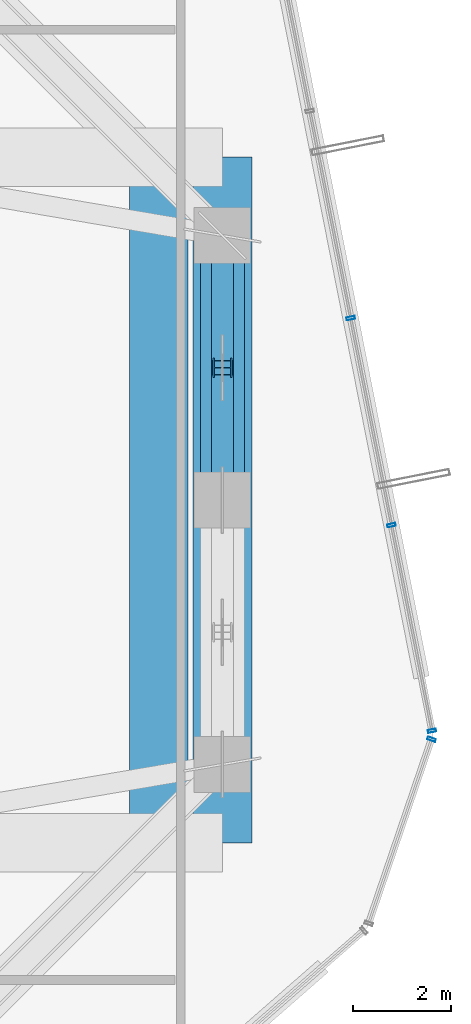
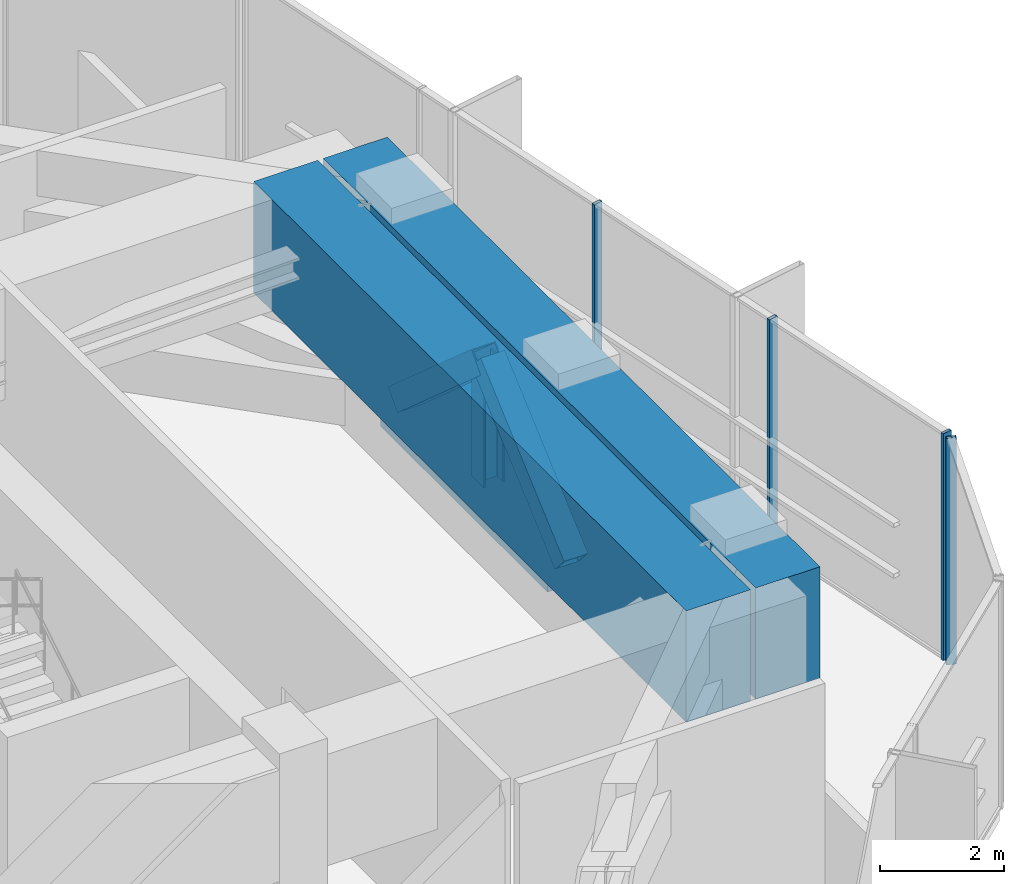
# One storey, part 19 of 36: 8 members, 2 beams, 2 elements without a shape of their own.
"""IFC4 building model written with IfcOpenShell, lengths in metres."""

from ifc_helpers import new_model, si_unit, direction, frame, origin, origin_2d, place, context, subcontext, project, spatial, rectangle, hollow_rectangle, i_section, extrude, source, transform, mapped, material, layer, layer_set, material_profile, profile_set, type_object, element, aggregate, save


model = new_model("IFC4")

# Units and contexts
model_context = context("Model", 3, precision=1e-05, world=origin(), true_north=direction((0.0, 1.0)))
body_context = subcontext(model_context, "Body", "Model", "MODEL_VIEW")
ifc_project = project(units=[si_unit("LENGTHUNIT", "METRE"), si_unit("AREAUNIT", "SQUARE_METRE"), si_unit("VOLUMEUNIT", "CUBIC_METRE"), si_unit("PLANEANGLEUNIT", "RADIAN"), si_unit("MASSUNIT", "GRAM", prefix="KILO")], contexts=[model_context])

# Site, building, storey
site_placement = place(None, origin())
site = spatial("IfcSite", under=ifc_project, at=site_placement, CompositionType="ELEMENT")
building_placement = place(site_placement, origin())
building = spatial("IfcBuilding", under=site, at=building_placement, Name="Veraguas Prism Commons", CompositionType="ELEMENT")
storey_placement = place(building_placement, frame((0.0, 0.0, 169.550048828125)))
storey = spatial("IfcBuildingStorey", under=building, at=storey_placement, Name="L48", CompositionType="ELEMENT", Elevation=169.550048828125)

# Members
ifc_material_1 = material(Name="Steel ASTM A913 Grade 65", Category="steel")
ifc_material_profile_1 = material_profile(ifc_material_1, hollow_rectangle(XDim=0.89990234375, YDim=0.89990234375, WallThickness=0.06494140625, at=origin_2d()), Name="BOX900X900X65")
ifc_profile_set_1 = profile_set([ifc_material_profile_1], Name="Steel ASTM A913 Grade 65")
member_type_1 = type_object("IfcMemberType", Name="Belt Truss Chord L48 Box 900x900x65", PredefinedType="CHORD", material=ifc_profile_set_1)
member_1_placement = place(storey_placement, frame((40.199951171875, 24.0, 0.550048828125), z_axis=(0.0, 1.0, 0.0), x_axis=(-1.0, 0.0, 0.0)))
element("IfcMember", 1, at=member_1_placement, inside=storey, type_object=member_type_1, Name="Perimeter Belt Truss Chord Bottom L48-02", PredefinedType="CHORD", context=body_context, shape_type="SweptSolid", body=[
    extrude(hollow_rectangle(XDim=0.89990234375, YDim=0.89990234375, WallThickness=0.06494140625, at=origin_2d()), origin(), (0.0, 0.0, 1.0), 5.39990234375),
])
ifc_material_2 = material(Name="Steel ASTM A992 Grade 50", Category="steel")
ifc_material_profile_2 = material_profile(ifc_material_2, i_section(OverallWidth=0.39794921875, OverallDepth=0.386962890625, WebThickness=0.01904296875, FlangeThickness=0.0302734375, at=origin_2d()), Name="W360X262")
ifc_profile_set_2 = profile_set([ifc_material_profile_2], Name="Steel ASTM A992 Grade 50")
member_type_2 = type_object("IfcMemberType", Name="Belt Truss Vertical Strut W360x262", PredefinedType="STRUT", material=ifc_profile_set_2)
member_2_placement = place(storey_placement, frame((40.199951171875, 26.699951171875, 0.550048828125), z_axis=(0.0, 0.0, 1.0), x_axis=(0.0, 1.0, 0.0)))
element("IfcMember", 2, at=member_2_placement, inside=storey, type_object=member_type_2, Name="Perimeter Belt Truss Strut L48-02", PredefinedType="STRUT", context=body_context, shape_type="SweptSolid", body=[
    extrude(i_section(OverallWidth=0.39794921875, OverallDepth=0.386962890625, WebThickness=0.01904296875, FlangeThickness=0.0302734375, at=origin_2d()), origin(), (0.0, 0.0, 1.0), 2.3798828125),
])
ifc_material_3 = material(Name="Steel ASTM A500 Grade C", Category="steel")
ifc_material_profile_3 = material_profile(ifc_material_3, hollow_rectangle(XDim=0.449951171875, YDim=0.449951171875, WallThickness=0.02197265625, at=origin_2d()), Name="HSS450X450X22")
ifc_profile_set_3 = profile_set([ifc_material_profile_3], Name="Steel ASTM A500 Grade C")
member_type_3 = type_object("IfcMemberType", Name="Mid Belt Diagonal HSS 450x450x22", PredefinedType="BRACE", material=ifc_profile_set_3)
for number, where, z_axis, x_axis, name in (
    (3, (40.199951171875, 24.0, 0.550048828125), (0.0, 0.75017230872, 0.661242396727), (-1.0, 0.0, 0.0), "Perimeter Belt Truss Brace L48-02A"),
    (4, (40.199951171875, 29.39990234375, 0.550048828125), (0.0, -0.75017230872, 0.661242396727), (1.0, 0.0, 0.0), "Perimeter Belt Truss Brace L48-02B"),
):
    element("IfcMember", number, at=place(storey_placement, frame(where, z_axis=z_axis, x_axis=x_axis)), inside=storey, type_object=member_type_3, Name=name, PredefinedType="BRACE", context=body_context, shape_type="SweptSolid", body=[
        extrude(hollow_rectangle(XDim=0.449951171875, YDim=0.449951171875, WallThickness=0.02197265625, at=origin_2d()), origin(), (0.0, 0.0, 1.0), 3.59912109375),
    ])

# Beams
ifc_material_4 = material(Name="Concrete C50/60", Category="concrete")
ifc_material_profile_4 = material_profile(ifc_material_4, rectangle(XDim=1.199951171875, YDim=2.199951171875, at=origin_2d()), Name="RC1200X2200")
ifc_profile_set_4 = profile_set([ifc_material_profile_4], Name="Concrete C50/60")
beam_type = type_object("IfcBeamType", Name="Podium Transfer Girder RC 1200x2200", PredefinedType="BEAM", material=ifc_profile_set_4)
for number, where, z_axis, x_axis, name in (
    (5, (40.199951171875, 17.0, 3.3798828125), (0.0, 1.0, 0.0), (-1.0, 0.0, 0.0), "East Outer Edge Transfer Girder L48"),
    (6, (38.89990234375, 17.0, 3.3798828125), (0.0, 1.0, 0.0), (-1.0, 0.0, 0.0), "East Setback Transfer Girder L48"),
):
    element("IfcBeam", number, at=place(storey_placement, frame(where, z_axis=z_axis, x_axis=x_axis)), inside=storey, type_object=beam_type, Name=name, PredefinedType="BEAM", context=body_context, shape_type="SweptSolid", body=[
        extrude(rectangle(XDim=1.199951171875, YDim=2.199951171875, at=origin_2d()), origin(), (0.0, 0.0, 1.0), 14.0),
    ])

# Curtain wall, members
ifc_material_5 = material(Name="Anodised aluminium EN AW-6063 T6", Category="aluminium")
ifc_layer = layer(ifc_material_5, 0.169921875, Name="Unitised Flush Curtain Wall Zone 2", Category="aluminium")
ifc_layer_set = layer_set([ifc_layer], Name="Anodised aluminium EN AW-6063 T6")
curtain_wall_type = type_object("IfcCurtainWallType", Name="Unitised Flush Curtain Wall Zone 2", PredefinedType="NOTDEFINED", material=ifc_layer_set)
curtain_wall_1_placement = place(storey_placement, origin())
curtain_wall_1 = element("IfcCurtainWall", 7, at=curtain_wall_1_placement, inside=storey, type_object=curtain_wall_type, Name="Tower Facade Curtain Wall L48-F6", PredefinedType="NOTDEFINED")
ifc_material_profile_5 = material_profile(ifc_material_5, hollow_rectangle(XDim=0.06005859375, YDim=0.169921875, WallThickness=0.00390625, at=origin_2d()), Name="AL60X170X4")
ifc_profile_set_5 = profile_set([ifc_material_profile_5], Name="Anodised aluminium EN AW-6063 T6")
member_type_4 = type_object("IfcMemberType", Name="Curtain Wall Mullion Lower AL 60x170x4", PredefinedType="MULLION", material=ifc_profile_set_5)
shared_shape = source(origin(), body_context, "Body", "SweptSolid", [
    extrude(hollow_rectangle(XDim=0.06005859375, YDim=0.169921875, WallThickness=0.00390625, at=origin_2d()), origin(), (0.0, 0.0, 1.0), 4.47998046875),
])
member_3_placement = place(storey_placement, frame((44.481689453125, 19.287841796875, 0.0), z_axis=(0.0, 0.0, 1.0), x_axis=(-0.193549468051, 0.981090517443, 0.0)))
member_3 = element("IfcMember", 8, at=member_3_placement, type_object=member_type_4, Name="CW-Z2 Mullion 1", PredefinedType="MULLION", context=body_context, shape_type="MappedRepresentation", body=[
    mapped(shared_shape, transform((0.0, 0.0, 0.0), scale=1.0)),
])
member_4_placement = place(storey_placement, frame((43.653564453125, 23.485595703125, 0.0), z_axis=(0.0, 0.0, 1.0), x_axis=(-0.193549468051, 0.981090517443, 0.0)))
member_4 = element("IfcMember", 9, at=member_4_placement, type_object=member_type_4, Name="CW-Z2 Mullion 2", PredefinedType="MULLION", context=body_context, shape_type="MappedRepresentation", body=[
    mapped(shared_shape, transform((0.0, 0.0, 0.0), scale=1.0)),
])
member_5_placement = place(storey_placement, frame((42.81982421875, 27.712646484375, 0.0), z_axis=(0.0, 0.0, 1.0), x_axis=(-0.193549468051, 0.981090517443, 0.0)))
member_5 = element("IfcMember", 10, at=member_5_placement, type_object=member_type_4, Name="CW-Z2 Mullion 3", PredefinedType="MULLION", context=body_context, shape_type="MappedRepresentation", body=[
    mapped(shared_shape, transform((0.0, 0.0, 0.0), scale=1.0)),
])
aggregate(curtain_wall_1, [member_3, member_4, member_5])

# Curtain wall, member
curtain_wall_2_placement = place(storey_placement, origin())
curtain_wall_2 = element("IfcCurtainWall", 11, at=curtain_wall_2_placement, inside=storey, type_object=curtain_wall_type, Name="Chamfer Curtain Wall L48-C6", PredefinedType="NOTDEFINED")
member_6_placement = place(storey_placement, frame((44.47021484375, 19.114501953125, 0.0), z_axis=(0.0, 0.0, 1.0), x_axis=(0.322929806142, 0.946422918311, 0.0)))
member_6 = element("IfcMember", 12, at=member_6_placement, type_object=member_type_4, Name="CW-Z2 Mullion 2", PredefinedType="MULLION", context=body_context, shape_type="MappedRepresentation", body=[
    mapped(shared_shape, transform((0.0, 0.0, 0.0), scale=1.0)),
])
aggregate(curtain_wall_2, [member_6])

save(model, "model.ifc")
